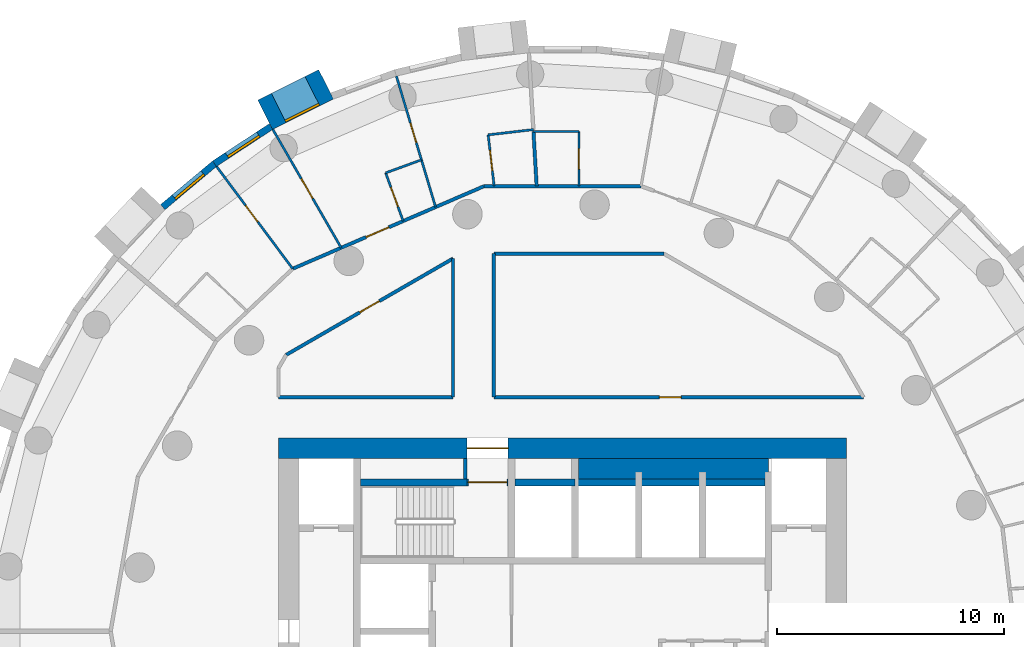
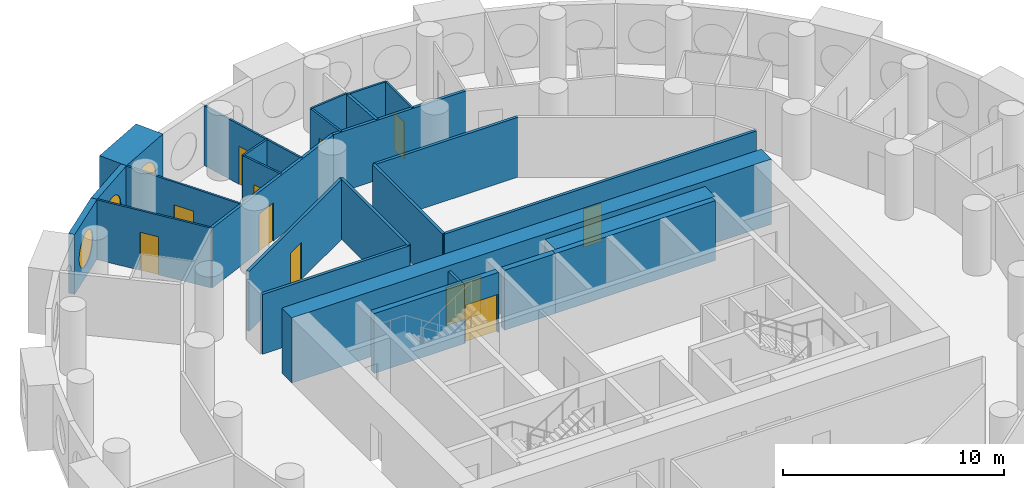
# One storey, part 6 of 10: 29 walls, 11 doors, 3 windows, 14 openings.
"""IFC4 building model written with IfcOpenShell, lengths in metres."""

from ifc_helpers import new_model, si_unit, direction, frame, frame_2d, origin, origin_2d, place, context, subcontext, project, spatial, rectangle, circle, extrude, material, layer, layer_set, type_object, element, fill, save


model = new_model("IFC4")

# Units and contexts
model_context = context("Model", 3, precision=1e-05, world=origin(), true_north=direction((0.0, 1.0)))
body_context = subcontext(model_context, "Body", "Model", "MODEL_VIEW")
ifc_project = project(units=[si_unit("LENGTHUNIT", "METRE"), si_unit("AREAUNIT", "SQUARE_METRE"), si_unit("VOLUMEUNIT", "CUBIC_METRE"), si_unit("PLANEANGLEUNIT", "RADIAN"), si_unit("MASSUNIT", "GRAM", prefix="KILO")], contexts=[model_context])

# Site, building, storey
site_placement = place(None, origin())
site = spatial("IfcSite", under=ifc_project, at=site_placement, CompositionType="ELEMENT")
building_placement = place(site_placement, origin())
building = spatial("IfcBuilding", under=site, at=building_placement, Name="Tracery Tower", CompositionType="ELEMENT")
storey_placement = place(building_placement, frame((0.0, 0.0, 129.60009765625)))
storey = spatial("IfcBuildingStorey", under=building, at=storey_placement, Name="L32", CompositionType="ELEMENT", Elevation=129.60009765625)

# Walls
ifc_material_1 = material(Name="Plasterboard on steel studs", Category="steel")
ifc_layer_1 = layer(ifc_material_1, 0.14990234375)
ifc_layer_set_1 = layer_set([ifc_layer_1], Name="Core room partition 150")
wall_type_1 = type_object("IfcWallType", Name="Core room partition 150", PredefinedType="SOLIDWALL", material=ifc_layer_set_1)
wall_1_placement = place(storey_placement, frame((-4.27490234375, 6.699951171875, 0.0), z_axis=(0.0, 0.0, 1.0), x_axis=(0.0, 1.0, 0.0)))
element("IfcWall", 1, at=wall_1_placement, inside=storey, type_object=wall_type_1, Name="L32 F N room", PredefinedType="SOLIDWALL", context=body_context, shape_type="SweptSolid", body=[
    extrude(rectangle(XDim=0.900146484375, YDim=0.14990234375, at=frame_2d((0.4501953125, 0.0))), origin(), (0.0, 0.0, 1.0), 3.2998046875),
])
ifc_material_2 = material(Name="Concrete C50/60", Category="concrete")
ifc_layer_2 = layer(ifc_material_2, 0.89990234375)
ifc_layer_set_2 = layer_set([ifc_layer_2], Name="Core strip wall 900 C50")
wall_type_2 = type_object("IfcWallType", Name="Core strip wall 900 C50", PredefinedType="SOLIDWALL", material=ifc_layer_set_2)
wall_2_placement = place(storey_placement, frame((0.699951171875, 7.14990234375, 0.0), z_axis=(0.0, 0.0, 1.0), x_axis=(1.0, 0.0, 0.0)))
element("IfcWall", 2, at=wall_2_placement, inside=storey, type_object=wall_type_2, Name="L32 F thick N E", PredefinedType="SOLIDWALL", context=body_context, shape_type="SweptSolid", body=[
    extrude(rectangle(XDim=8.35009765625, YDim=0.89990234375, at=frame_2d((4.175048828125, 0.0))), origin(), (0.0, 0.0, 1.0), 3.2998046875),
])

# Wall, opening, door
ifc_material_3 = material(Name="Concrete C50/60", Category="concrete")
ifc_layer_3 = layer(ifc_material_3, 0.89990234375)
ifc_layer_set_3 = layer_set([ifc_layer_3], Name="Core wall 900 C50")
wall_type_3 = type_object("IfcWallType", Name="Core wall 900 C50", PredefinedType="SOLIDWALL", material=ifc_layer_set_3)
wall_3_placement = place(storey_placement, frame((-12.5, 8.050048828125, 0.0), z_axis=(0.0, 0.0, 1.0), x_axis=(1.0, 0.0, 0.0)))
wall_3 = element("IfcWall", 3, at=wall_3_placement, inside=storey, type_object=wall_type_3, Name="L32 outer N", PredefinedType="SOLIDWALL", context=body_context, shape_type="SweptSolid", body=[
    extrude(rectangle(XDim=25.0, YDim=0.89990234375, at=frame_2d((12.5, 0.0))), origin(), (0.0, 0.0, 1.0), 3.599853515625),
])
opening_1_placement = place(wall_3_placement, frame((8.300048828125, 0.0, 0.0)))
opening_1 = element("IfcOpeningElement", 4, at=opening_1_placement, cuts=wall_3, Name="Opening KD13", PredefinedType="OPENING", context=body_context, shape_type="SweptSolid", body=[
    extrude(rectangle(XDim=1.800048828125, YDim=2.10009765625, at=frame_2d((0.89990234375, 1.050048828125))), frame((0.0, 0.449951171875, 0.0), z_axis=(0.0, -1.0, 0.0), x_axis=(1.0, 0.0, 0.0)), (0.0, 0.0, 1.0), 0.89990234375),
])
ifc_material_4 = material(Name="Steel fire door", Category="steel")
door_type_1 = type_object("IfcDoorType", Name="Core exit door 1800 double", OperationType="NOTDEFINED", PredefinedType="DOOR", material=ifc_material_4)
door_1_placement = place(opening_1_placement, origin())
door_1 = element("IfcDoor", 5, at=door_1_placement, inside=storey, type_object=door_type_1, Name="Core exit door", OperationType="DOUBLE_DOOR_SINGLE_SWING", OverallHeight=2.10009765625, OverallWidth=1.800048828125, PredefinedType="DOOR", context=body_context, shape_type="SweptSolid", body=[
    extrude(rectangle(XDim=1.800048828125, YDim=2.10009765625, at=frame_2d((0.89990234375, 1.050048828125))), frame((0.0, 0.02490234375, 0.0), z_axis=(0.0, -1.0, 0.0), x_axis=(1.0, 0.0, 0.0)), (0.0, 0.0, 1.0), 0.050048828125),
])
fill(opening_1, door_1)

# Wall, opening, window
ifc_material_5 = material(Name="Precast concrete C50/60", Category="concrete")
ifc_layer_4 = layer(ifc_material_5, 1.449951171875)
ifc_layer_set_4 = layer_set([ifc_layer_4], Name="Deep-set bay unit 3000 x 3600, slab edge 300")
wall_type_4 = type_object("IfcWallType", Name="Deep-set bay unit 3000 x 3600, slab edge 300", PredefinedType="ELEMENTEDWALL", material=ifc_layer_set_4)
wall_4_placement = place(storey_placement, frame((-10.40869140625, 24.067626953125, -0.300048828125), z_axis=(0.0, 0.0, 1.0), x_axis=(-0.893628249713, -0.448807922518, 0.0)))
wall_4 = element("IfcWall", 6, at=wall_4_placement, inside=storey, type_object=wall_type_4, Name="Deep-set bay unit 18 at L32", PredefinedType="ELEMENTEDWALL", context=body_context, shape_type="SweptSolid", body=[
    extrude(rectangle(XDim=3.0, YDim=1.449951171875, at=frame_2d((1.5, 0.0))), origin(), (0.0, 0.0, 1.0), 3.599853515625),
])
opening_2_placement = place(wall_4_placement, frame((1.5, 0.0, 1.85009765625)))
opening_2 = element("IfcOpeningElement", 7, at=opening_2_placement, cuts=wall_4, Name="Opening WN1", PredefinedType="OPENING", context=body_context, shape_type="SweptSolid", body=[
    extrude(circle(Radius=0.9000244140625, at=origin_2d()), frame((0.0, 0.73486328125, 0.0), z_axis=(0.0, -1.0, 0.0), x_axis=(1.0, 0.0, 0.0)), (0.0, 0.0, 1.0), 1.469970703125),
])
ifc_material_6 = material(Name="Aluminium frame with tinted double glazing", Category="aluminium")
window_type = type_object("IfcWindowType", Name="Round window 1800", PartitioningType="SINGLE_PANEL", PredefinedType="WINDOW", material=ifc_material_6)
window_1_placement = place(opening_2_placement, origin())
window_1 = element("IfcWindow", 8, at=window_1_placement, inside=storey, type_object=window_type, Name="Round window 18 at L32", OverallHeight=1.800048828125, OverallWidth=1.800048828125, PartitioningType="SINGLE_PANEL", PredefinedType="WINDOW", context=body_context, shape_type="SweptSolid", body=[
    extrude(circle(Radius=0.9000244140625, at=origin_2d()), frame((0.0, 0.69482421875, 0.0), z_axis=(0.0, -1.0, 0.0), x_axis=(1.0, 0.0, 0.0)), (0.0, 0.0, 1.0), 0.10009765625),
])
fill(opening_2, window_1)

ifc_material_7 = material(Name="Precast concrete C50/60", Category="concrete")
ifc_layer_5 = layer(ifc_material_7, 0.300048828125)
ifc_layer_set_5 = layer_set([ifc_layer_5], Name="Facade panel 3000 x 3300")
wall_type_5 = type_object("IfcWallType", Name="Facade panel 3000 x 3300", PredefinedType="SOLIDWALL", material=ifc_layer_set_5)
wall_5_placement = place(storey_placement, frame((-12.831787109375, 22.2060546875, 0.0), z_axis=(0.0, 0.0, 1.0), x_axis=(-0.835508361394, -0.54947773207, 0.0)))
wall_5 = element("IfcWall", 9, at=wall_5_placement, inside=storey, type_object=wall_type_5, Name="Facade panel 19 at L32", PredefinedType="SOLIDWALL", context=body_context, shape_type="SweptSolid", body=[
    extrude(rectangle(XDim=2.972900390625, YDim=0.300048828125, at=frame_2d((1.486328125, 0.0))), origin(), (0.0, 0.0, 1.0), 3.2998046875),
])
opening_3_placement = place(wall_5_placement, frame((1.486328125, 0.0, 1.5498046875)))
opening_3 = element("IfcOpeningElement", 10, at=opening_3_placement, cuts=wall_5, Name="Opening WN1", PredefinedType="OPENING", context=body_context, shape_type="SweptSolid", body=[
    extrude(circle(Radius=0.9000244140625, at=origin_2d()), frame((0.0, 0.159912109375, 0.0), z_axis=(0.0, -1.0, 0.0), x_axis=(1.0, 0.0, 0.0)), (0.0, 0.0, 1.0), 0.320068359375),
])
window_2_placement = place(opening_3_placement, origin())
window_2 = element("IfcWindow", 11, at=window_2_placement, inside=storey, type_object=window_type, Name="Round window 19 at L32", OverallHeight=1.800048828125, OverallWidth=1.800048828125, PartitioningType="SINGLE_PANEL", PredefinedType="WINDOW", context=body_context, shape_type="SweptSolid", body=[
    extrude(circle(Radius=0.9000244140625, at=origin_2d()), frame((0.0, 0.1201171875, 0.0), z_axis=(0.0, -1.0, 0.0), x_axis=(1.0, 0.0, 0.0)), (0.0, 0.0, 1.0), 0.10009765625),
])
fill(opening_3, window_2)

wall_6_placement = place(storey_placement, frame((-15.315673828125, 20.572509765625, 0.0), z_axis=(0.0, 0.0, 1.0), x_axis=(-0.766008913364, -0.642829950023, 0.0)))
wall_6 = element("IfcWall", 12, at=wall_6_placement, inside=storey, type_object=wall_type_5, Name="Facade panel 20 at L32", PredefinedType="SOLIDWALL", context=body_context, shape_type="SweptSolid", body=[
    extrude(rectangle(XDim=2.972900390625, YDim=0.300048828125, at=frame_2d((1.486328125, 0.0))), origin(), (0.0, 0.0, 1.0), 3.2998046875),
])
opening_4_placement = place(wall_6_placement, frame((1.486328125, 0.0, 1.5498046875)))
opening_4 = element("IfcOpeningElement", 13, at=opening_4_placement, cuts=wall_6, Name="Opening WN1", PredefinedType="OPENING", context=body_context, shape_type="SweptSolid", body=[
    extrude(circle(Radius=0.9000244140625, at=origin_2d()), frame((0.0, 0.159912109375, 0.0), z_axis=(0.0, -1.0, 0.0), x_axis=(1.0, 0.0, 0.0)), (0.0, 0.0, 1.0), 0.320068359375),
])
window_3_placement = place(opening_4_placement, origin())
window_3 = element("IfcWindow", 14, at=window_3_placement, inside=storey, type_object=window_type, Name="Round window 20 at L32", OverallHeight=1.800048828125, OverallWidth=1.800048828125, PartitioningType="SINGLE_PANEL", PredefinedType="WINDOW", context=body_context, shape_type="SweptSolid", body=[
    extrude(circle(Radius=0.9000244140625, at=origin_2d()), frame((0.0, 0.1201171875, 0.0), z_axis=(0.0, -1.0, 0.0), x_axis=(1.0, 0.0, 0.0)), (0.0, 0.0, 1.0), 0.10009765625),
])
fill(opening_4, window_3)

# Wall, opening, door
ifc_material_8 = material(Name="Plasterboard on steel studs", Category="steel")
ifc_layer_6 = layer(ifc_material_8, 0.10009765625)
ifc_layer_set_6 = layer_set([ifc_layer_6], Name="Partition 100 stud")
wall_type_6 = type_object("IfcWallType", Name="Partition 100 stud", PredefinedType="PARTITIONING", material=ifc_layer_set_6)
wall_7_placement = place(storey_placement, frame((-12.7490234375, 22.0810546875, 0.0), z_axis=(0.0, 0.0, 1.0), x_axis=(0.50002935287, -0.866008456234, 0.0)))
wall_7 = element("IfcWall", 15, at=wall_7_placement, inside=storey, type_object=wall_type_6, Name="Stud partition RB1-065", PredefinedType="PARTITIONING", context=body_context, shape_type="SweptSolid", body=[
    extrude(rectangle(XDim=6.013916015625, YDim=0.10009765625, at=frame_2d((3.0068359375, 0.0))), origin(), (0.0, 0.0, 1.0), 3.2998046875),
])
opening_5_placement = place(wall_7_placement, frame((2.5068359375, 0.0, 0.0)))
opening_5 = element("IfcOpeningElement", 16, at=opening_5_placement, cuts=wall_7, Name="Opening RB1-20", PredefinedType="OPENING", context=body_context, shape_type="SweptSolid", body=[
    extrude(rectangle(XDim=1.0, YDim=2.0400390625, at=frame_2d((0.5, 1.02001953125))), frame((0.0, 0.050048828125, 0.0), z_axis=(0.0, -1.0, 0.0), x_axis=(1.0, 0.0, 0.0)), (0.0, 0.0, 1.0), 0.10009765625),
])
ifc_material_9 = material(Name="Timber door leaf", Category="wood")
door_type_2 = type_object("IfcDoorType", Name="Door communal room 1000", OperationType="NOTDEFINED", PredefinedType="DOOR", material=ifc_material_9)
door_2_placement = place(opening_5_placement, origin())
door_2 = element("IfcDoor", 17, at=door_2_placement, inside=storey, type_object=door_type_2, Name="Communal room door RB1-20", OperationType="SINGLE_SWING_RIGHT", OverallHeight=2.0400390625, OverallWidth=1.0, PredefinedType="DOOR", context=body_context, shape_type="SweptSolid", body=[
    extrude(rectangle(XDim=1.0, YDim=2.0400390625, at=frame_2d((0.5, 1.02001953125))), frame((0.0, 0.02490234375, 0.0), z_axis=(0.0, -1.0, 0.0), x_axis=(1.0, 0.0, 0.0)), (0.0, 0.0, 1.0), 0.050048828125),
])
fill(opening_5, door_2)

wall_8_placement = place(storey_placement, frame((-7.31298828125, 24.426025390625, 0.0), z_axis=(0.0, 0.0, 1.0), x_axis=(0.286823657337, -0.957983397347, 0.0)))
wall_8 = element("IfcWall", 18, at=wall_8_placement, inside=storey, type_object=wall_type_6, Name="Stud partition RB1-068", PredefinedType="PARTITIONING", context=body_context, shape_type="SweptSolid", body=[
    extrude(rectangle(XDim=3.845703125, YDim=0.10009765625, at=frame_2d((1.9228515625, 0.0))), origin(), (0.0, 0.0, 1.0), 3.2998046875),
])
opening_6_placement = place(wall_8_placement, frame((2.14990234375, 0.0, 0.0)))
opening_6 = element("IfcOpeningElement", 19, at=opening_6_placement, cuts=wall_8, Name="Opening RB1-22", PredefinedType="OPENING", context=body_context, shape_type="SweptSolid", body=[
    extrude(rectangle(XDim=0.89990234375, YDim=2.10009765625, at=frame_2d((0.449951171875, 1.050048828125))), frame((0.0, 0.050048828125, 0.0), z_axis=(0.0, -1.0, 0.0), x_axis=(1.0, 0.0, 0.0)), (0.0, 0.0, 1.0), 0.10009765625),
])
ifc_material_10 = material(Name="Timber door leaf", Category="wood")
door_type_3 = type_object("IfcDoorType", Name="Door bedroom 900", OperationType="NOTDEFINED", PredefinedType="DOOR", material=ifc_material_10)
door_3_placement = place(opening_6_placement, origin())
door_3 = element("IfcDoor", 20, at=door_3_placement, inside=storey, type_object=door_type_3, Name="Bedroom door RB1-22", OperationType="SINGLE_SWING_RIGHT", OverallHeight=2.10009765625, OverallWidth=0.89990234375, PredefinedType="DOOR", context=body_context, shape_type="SweptSolid", body=[
    extrude(rectangle(XDim=0.89990234375, YDim=2.10009765625, at=frame_2d((0.449951171875, 1.050048828125))), frame((0.0, 0.02490234375, 0.0), z_axis=(0.0, -1.0, 0.0), x_axis=(1.0, 0.0, 0.0)), (0.0, 0.0, 1.0), 0.050048828125),
])
fill(opening_6, door_3)

wall_9_placement = place(storey_placement, frame((-15.22607421875, 20.451904296875, 0.0), z_axis=(0.0, 0.0, 1.0), x_axis=(0.597155355437, -0.802125602056, 0.0)))
wall_9 = element("IfcWall", 21, at=wall_9_placement, inside=storey, type_object=wall_type_6, Name="Stud partition RB1-069", PredefinedType="PARTITIONING", context=body_context, shape_type="SweptSolid", body=[
    extrude(rectangle(XDim=5.610107421875, YDim=0.10009765625, at=frame_2d((2.80517578125, 0.0))), origin(), (0.0, 0.0, 1.0), 3.2998046875),
])
opening_7_placement = place(wall_9_placement, frame((2.138916015625, 0.0, 0.0)))
opening_7 = element("IfcOpeningElement", 22, at=opening_7_placement, cuts=wall_9, Name="Opening RB1-24", PredefinedType="OPENING", context=body_context, shape_type="SweptSolid", body=[
    extrude(rectangle(XDim=0.89990234375, YDim=2.10009765625, at=frame_2d((0.449951171875, 1.050048828125))), frame((0.0, 0.050048828125, 0.0), z_axis=(0.0, -1.0, 0.0), x_axis=(1.0, 0.0, 0.0)), (0.0, 0.0, 1.0), 0.10009765625),
])
door_4_placement = place(opening_7_placement, origin())
door_4 = element("IfcDoor", 23, at=door_4_placement, inside=storey, type_object=door_type_3, Name="Bedroom door RB1-24", OperationType="SINGLE_SWING_RIGHT", OverallHeight=2.10009765625, OverallWidth=0.89990234375, PredefinedType="DOOR", context=body_context, shape_type="SweptSolid", body=[
    extrude(rectangle(XDim=0.89990234375, YDim=2.10009765625, at=frame_2d((0.449951171875, 1.050048828125))), frame((0.0, 0.02490234375, 0.0), z_axis=(0.0, -1.0, 0.0), x_axis=(1.0, 0.0, 0.0)), (0.0, 0.0, 1.0), 0.050048828125),
])
fill(opening_7, door_4)

ifc_material_11 = material(Name="Plasterboard on steel studs", Category="steel")
ifc_layer_7 = layer(ifc_material_11, 0.10009765625)
ifc_layer_set_7 = layer_set([ifc_layer_7], Name="Partition 100 wet wall")
wall_type_7 = type_object("IfcWallType", Name="Partition 100 wet wall", PredefinedType="PARTITIONING", material=ifc_layer_set_7)
wall_10_placement = place(storey_placement, frame((0.717041015625, 19.5859375, 0.0), z_axis=(0.0, 0.0, 1.0), x_axis=(0.0, 1.0, 0.0)))
wall_10 = element("IfcWall", 24, at=wall_10_placement, inside=storey, type_object=wall_type_7, Name="Wet wall RB1-061", PredefinedType="PARTITIONING", context=body_context, shape_type="SweptSolid", body=[
    extrude(rectangle(XDim=2.400146484375, YDim=0.10009765625, at=frame_2d((1.2001953125, 0.0))), origin(), (0.0, 0.0, 1.0), 3.2998046875),
])
opening_8_placement = place(wall_10_placement, frame((0.75, 0.0, 0.0)))
opening_8 = element("IfcOpeningElement", 25, at=opening_8_placement, cuts=wall_10, Name="Opening RB1-18", PredefinedType="OPENING", context=body_context, shape_type="SweptSolid", body=[
    extrude(rectangle(XDim=0.89990234375, YDim=2.0400390625, at=frame_2d((0.449951171875, 1.02001953125))), frame((0.0, 0.050048828125, 0.0), z_axis=(0.0, -1.0, 0.0), x_axis=(1.0, 0.0, 0.0)), (0.0, 0.0, 1.0), 0.10009765625),
])
ifc_material_12 = material(Name="Timber door leaf", Category="wood")
door_type_4 = type_object("IfcDoorType", Name="Door en-suite 900", OperationType="NOTDEFINED", PredefinedType="DOOR", material=ifc_material_12)
door_5_placement = place(opening_8_placement, origin())
door_5 = element("IfcDoor", 26, at=door_5_placement, inside=storey, type_object=door_type_4, Name="En-suite door RB1-18", OperationType="SINGLE_SWING_LEFT", OverallHeight=2.0400390625, OverallWidth=0.89990234375, PredefinedType="DOOR", context=body_context, shape_type="SweptSolid", body=[
    extrude(rectangle(XDim=0.89990234375, YDim=2.0400390625, at=frame_2d((0.449951171875, 1.02001953125))), frame((0.0, 0.02490234375, 0.0), z_axis=(0.0, -1.0, 0.0), x_axis=(1.0, 0.0, 0.0)), (0.0, 0.0, 1.0), 0.050048828125),
])
fill(opening_8, door_5)

# Walls
wall_11_placement = place(storey_placement, frame((-1.281005859375, 21.986083984375, 0.0), z_axis=(0.0, 0.0, 1.0), x_axis=(1.0, 0.0, 0.0)))
element("IfcWall", 27, at=wall_11_placement, inside=storey, type_object=wall_type_7, Name="Wet wall RB1-062", PredefinedType="PARTITIONING", context=body_context, shape_type="SweptSolid", body=[
    extrude(rectangle(XDim=1.998046875, YDim=0.10009765625, at=frame_2d((0.9990234375, 0.0))), origin(), (0.0, 0.0, 1.0), 3.2998046875),
])
wall_12_placement = place(storey_placement, frame((-7.784912109375, 20.1689453125, 0.0), z_axis=(0.0, 0.0, 1.0), x_axis=(0.939738119152, 0.341895111711, 0.0)))
element("IfcWall", 28, at=wall_12_placement, inside=storey, type_object=wall_type_7, Name="Wet wall RB1-066", PredefinedType="PARTITIONING", context=body_context, shape_type="SweptSolid", body=[
    extrude(rectangle(XDim=1.676025390625, YDim=0.10009765625, at=frame_2d((0.837890625, 0.0))), origin(), (0.0, 0.0, 1.0), 3.2998046875),
])

# Wall, opening, door
wall_13_placement = place(storey_placement, frame((-7.784912109375, 20.1689453125, 0.0), z_axis=(0.0, 0.0, 1.0), x_axis=(0.341934316543, -0.939723854742, 0.0)))
wall_13 = element("IfcWall", 29, at=wall_13_placement, inside=storey, type_object=wall_type_7, Name="Wet wall RB1-067", PredefinedType="PARTITIONING", context=body_context, shape_type="SweptSolid", body=[
    extrude(rectangle(XDim=2.2548828125, YDim=0.10009765625, at=frame_2d((1.12744140625, 0.0))), origin(), (0.0, 0.0, 1.0), 3.2998046875),
])
opening_9_placement = place(wall_13_placement, frame((0.677001953125, 0.0, 0.0)))
opening_9 = element("IfcOpeningElement", 30, at=opening_9_placement, cuts=wall_13, Name="Opening RB1-21", PredefinedType="OPENING", context=body_context, shape_type="SweptSolid", body=[
    extrude(rectangle(XDim=0.89990234375, YDim=2.0, at=frame_2d((0.449951171875, 1.0))), frame((0.0, 0.050048828125, 0.0), z_axis=(0.0, -1.0, 0.0), x_axis=(1.0, 0.0, 0.0)), (0.0, 0.0, 1.0), 0.10009765625),
])
ifc_material_13 = material(Name="Timber door leaf", Category="wood")
door_type_5 = type_object("IfcDoorType", Name="Door shower room 900", OperationType="NOTDEFINED", PredefinedType="DOOR", material=ifc_material_13)
door_6_placement = place(opening_9_placement, origin())
door_6 = element("IfcDoor", 31, at=door_6_placement, inside=storey, type_object=door_type_5, Name="Shower room door RB1-21", OperationType="SINGLE_SWING_LEFT", OverallHeight=2.0, OverallWidth=0.89990234375, PredefinedType="DOOR", context=body_context, shape_type="SweptSolid", body=[
    extrude(rectangle(XDim=0.89990234375, YDim=2.0, at=frame_2d((0.449951171875, 1.0))), frame((0.0, 0.02490234375, 0.0), z_axis=(0.0, -1.0, 0.0), x_axis=(1.0, 0.0, 0.0)), (0.0, 0.0, 1.0), 0.050048828125),
])
fill(opening_9, door_6)

# Walls
wall_14_placement = place(storey_placement, frame((-6.2099609375, 20.741943359375, 0.0), z_axis=(0.0, 0.0, 1.0), x_axis=(0.286924287417, -0.957953262581, 0.0)))
element("IfcWall", 32, at=wall_14_placement, inside=storey, type_object=wall_type_7, Name="Wet wall RB1-070", PredefinedType="PARTITIONING", context=body_context, shape_type="SweptSolid", body=[
    extrude(rectangle(XDim=2.16796875, YDim=0.10009765625, at=frame_2d((1.083984375, 0.0))), origin(), (0.0, 0.0, 1.0), 3.2998046875),
])
wall_15_placement = place(storey_placement, frame((-3.27490234375, 21.842041015625, 0.0), z_axis=(0.0, 0.0, 1.0), x_axis=(0.993269919916, 0.115822563388, 0.0)))
element("IfcWall", 33, at=wall_15_placement, inside=storey, type_object=wall_type_7, Name="Wet wall RB1-071", PredefinedType="PARTITIONING", context=body_context, shape_type="SweptSolid", body=[
    extrude(rectangle(XDim=2.00244140625, YDim=0.10009765625, at=frame_2d((1.001220703125, 0.0))), origin(), (0.0, 0.0, 1.0), 3.2998046875),
])

# Wall, opening, door
wall_16_placement = place(storey_placement, frame((-3.27490234375, 21.842041015625, 0.0), z_axis=(0.0, 0.0, 1.0), x_axis=(0.115762284594, -0.993276947012, 0.0)))
wall_16 = element("IfcWall", 34, at=wall_16_placement, inside=storey, type_object=wall_type_7, Name="Wet wall RB1-072", PredefinedType="PARTITIONING", context=body_context, shape_type="SweptSolid", body=[
    extrude(rectangle(XDim=2.271484375, YDim=0.10009765625, at=frame_2d((1.1357421875, 0.0))), origin(), (0.0, 0.0, 1.0), 3.2998046875),
])
opening_10_placement = place(wall_16_placement, frame((0.68603515625, 0.0, 0.0)))
opening_10 = element("IfcOpeningElement", 35, at=opening_10_placement, cuts=wall_16, Name="Opening RB1-23", PredefinedType="OPENING", context=body_context, shape_type="SweptSolid", body=[
    extrude(rectangle(XDim=0.89990234375, YDim=2.0400390625, at=frame_2d((0.449951171875, 1.02001953125))), frame((0.0, 0.050048828125, 0.0), z_axis=(0.0, -1.0, 0.0), x_axis=(1.0, 0.0, 0.0)), (0.0, 0.0, 1.0), 0.10009765625),
])
door_7_placement = place(opening_10_placement, origin())
door_7 = element("IfcDoor", 36, at=door_7_placement, inside=storey, type_object=door_type_4, Name="En-suite door RB1-23", OperationType="SINGLE_SWING_RIGHT", OverallHeight=2.0400390625, OverallWidth=0.89990234375, PredefinedType="DOOR", context=body_context, shape_type="SweptSolid", body=[
    extrude(rectangle(XDim=0.89990234375, YDim=2.0400390625, at=frame_2d((0.449951171875, 1.02001953125))), frame((0.0, 0.02490234375, 0.0), z_axis=(0.0, -1.0, 0.0), x_axis=(1.0, 0.0, 0.0)), (0.0, 0.0, 1.0), 0.050048828125),
])
fill(opening_10, door_7)

# Walls
ifc_material_14 = material(Name="Plasterboard on steel studs", Category="steel")
ifc_layer_8 = layer(ifc_material_14, 0.14990234375)
ifc_layer_set_8 = layer_set([ifc_layer_8], Name="Partition 150 acoustic unit wall")
wall_type_8 = type_object("IfcWallType", Name="Partition 150 acoustic unit wall", PredefinedType="PARTITIONING", material=ifc_layer_set_8)
wall_17_placement = place(storey_placement, frame((-1.281005859375, 21.986083984375, 0.0), z_axis=(0.0, 0.0, 1.0), x_axis=(0.058186267039, -0.998305743912, 0.0)))
element("IfcWall", 37, at=wall_17_placement, inside=storey, type_object=wall_type_8, Name="Unit wall RB1-064", PredefinedType="PARTITIONING", context=body_context, shape_type="SweptSolid", body=[
    extrude(rectangle(XDim=2.404296875, YDim=0.14990234375, at=frame_2d((1.2021484375, 0.0))), origin(), (0.0, 0.0, 1.0), 3.2998046875),
])
ifc_material_15 = material(Name="Plasterboard on steel studs", Category="steel")
ifc_layer_9 = layer(ifc_material_15, 0.14990234375)
ifc_layer_set_9 = layer_set([ifc_layer_9], Name="Partition 150 corridor wall")
wall_type_9 = type_object("IfcWallType", Name="Partition 150 corridor wall", PredefinedType="PARTITIONING", material=ifc_layer_set_9)
wall_18_placement = place(storey_placement, frame((-12.50390625, 10.300048828125, 0.0), z_axis=(0.0, 0.0, 1.0), x_axis=(1.0, 0.0, 0.0)))
element("IfcWall", 38, at=wall_18_placement, inside=storey, type_object=wall_type_9, Name="Corridor wall RB1-001", PredefinedType="PARTITIONING", context=body_context, shape_type="SweptSolid", body=[
    extrude(rectangle(XDim=7.68701171875, YDim=0.14990234375, at=frame_2d((3.843505859375, 0.0))), origin(), (0.0, 0.0, 1.0), 3.2998046875),
])

# Wall, opening, door
wall_19_placement = place(storey_placement, frame((-3.02490234375, 10.300048828125, 0.0), z_axis=(0.0, 0.0, 1.0), x_axis=(1.0, 0.0, 0.0)))
wall_19 = element("IfcWall", 39, at=wall_19_placement, inside=storey, type_object=wall_type_9, Name="Corridor wall RB1-002", PredefinedType="PARTITIONING", context=body_context, shape_type="SweptSolid", body=[
    extrude(rectangle(XDim=16.261962890625, YDim=0.14990234375, at=frame_2d((8.130859375, 0.0))), origin(), (0.0, 0.0, 1.0), 3.2998046875),
])
opening_11_placement = place(wall_19_placement, frame((7.2880859375, 0.0, 0.0)))
opening_11 = element("IfcOpeningElement", 40, at=opening_11_placement, cuts=wall_19, Name="Opening RB1-02", PredefinedType="OPENING", context=body_context, shape_type="SweptSolid", body=[
    extrude(rectangle(XDim=0.949951171875, YDim=2.10009765625, at=frame_2d((0.47509765625, 1.050048828125))), frame((0.0, 0.074951171875, 0.0), z_axis=(0.0, -1.0, 0.0), x_axis=(1.0, 0.0, 0.0)), (0.0, 0.0, 1.0), 0.14990234375),
])
ifc_material_16 = material(Name="Timber door leaf", Category="wood")
door_type_6 = type_object("IfcDoorType", Name="Door store 950", OperationType="NOTDEFINED", PredefinedType="DOOR", material=ifc_material_16)
door_8_placement = place(opening_11_placement, origin())
door_8 = element("IfcDoor", 41, at=door_8_placement, inside=storey, type_object=door_type_6, Name="Store door RB1-02", OperationType="SINGLE_SWING_RIGHT", OverallHeight=2.10009765625, OverallWidth=0.949951171875, PredefinedType="DOOR", context=body_context, shape_type="SweptSolid", body=[
    extrude(rectangle(XDim=0.949951171875, YDim=2.10009765625, at=frame_2d((0.47509765625, 1.050048828125))), frame((0.0, 0.02490234375, 0.0), z_axis=(0.0, -1.0, 0.0), x_axis=(1.0, 0.0, 0.0)), (0.0, 0.0, 1.0), 0.050048828125),
])
fill(opening_11, door_8)

# Wall
wall_20_placement = place(storey_placement, frame((-4.821044921875, 10.300048828125, 0.0), z_axis=(0.0, 0.0, 1.0), x_axis=(0.0, 1.0, 0.0)))
element("IfcWall", 42, at=wall_20_placement, inside=storey, type_object=wall_type_9, Name="Corridor wall RB1-013", PredefinedType="PARTITIONING", context=body_context, shape_type="SweptSolid", body=[
    extrude(rectangle(XDim=6.100830078125, YDim=0.14990234375, at=frame_2d((3.05029296875, 0.0))), origin(), (0.0, 0.0, 1.0), 3.2998046875),
])

# Wall, opening, door
wall_21_placement = place(storey_placement, frame((-12.162109375, 12.162109375, 0.0), z_axis=(0.0, 0.0, 1.0), x_axis=(0.866004766557, 0.500035743023, 0.0)))
wall_21 = element("IfcWall", 43, at=wall_21_placement, inside=storey, type_object=wall_type_9, Name="Corridor wall RB1-014", PredefinedType="PARTITIONING", context=body_context, shape_type="SweptSolid", body=[
    extrude(rectangle(XDim=8.47705078125, YDim=0.14990234375, at=frame_2d((4.238525390625, 0.0))), origin(), (0.0, 0.0, 1.0), 3.2998046875),
])
opening_12_placement = place(wall_21_placement, frame((3.739013671875, 0.0, 0.0)))
opening_12 = element("IfcOpeningElement", 44, at=opening_12_placement, cuts=wall_21, Name="Opening RB1-01", PredefinedType="OPENING", context=body_context, shape_type="SweptSolid", body=[
    extrude(rectangle(XDim=1.0, YDim=2.0400390625, at=frame_2d((0.5, 1.02001953125))), frame((0.0, 0.074951171875, 0.0), z_axis=(0.0, -1.0, 0.0), x_axis=(1.0, 0.0, 0.0)), (0.0, 0.0, 1.0), 0.14990234375),
])
door_9_placement = place(opening_12_placement, origin())
door_9 = element("IfcDoor", 45, at=door_9_placement, inside=storey, type_object=door_type_2, Name="Communal room door RB1-01", OperationType="SINGLE_SWING_LEFT", OverallHeight=2.0400390625, OverallWidth=1.0, PredefinedType="DOOR", context=body_context, shape_type="SweptSolid", body=[
    extrude(rectangle(XDim=1.0, YDim=2.0400390625, at=frame_2d((0.5, 1.02001953125))), frame((0.0, 0.02490234375, 0.0), z_axis=(0.0, -1.0, 0.0), x_axis=(1.0, 0.0, 0.0)), (0.0, 0.0, 1.0), 0.050048828125),
])
fill(opening_12, door_9)

# Walls
wall_22_placement = place(storey_placement, frame((-3.02099609375, 16.614013671875, 0.0), z_axis=(0.0, 0.0, 1.0), x_axis=(1.0, 0.0, 0.0)))
element("IfcWall", 46, at=wall_22_placement, inside=storey, type_object=wall_type_9, Name="Corridor wall RB1-016", PredefinedType="PARTITIONING", context=body_context, shape_type="SweptSolid", body=[
    extrude(rectangle(XDim=7.472900390625, YDim=0.14990234375, at=frame_2d((3.736328125, 0.0))), origin(), (0.0, 0.0, 1.0), 3.2998046875),
])
wall_23_placement = place(storey_placement, frame((-3.02099609375, 10.300048828125, 0.0), z_axis=(0.0, 0.0, 1.0), x_axis=(0.0, 1.0, 0.0)))
element("IfcWall", 47, at=wall_23_placement, inside=storey, type_object=wall_type_9, Name="Corridor wall RB1-017", PredefinedType="PARTITIONING", context=body_context, shape_type="SweptSolid", body=[
    extrude(rectangle(XDim=6.31396484375, YDim=0.14990234375, at=frame_2d((3.156982421875, 0.0))), origin(), (0.0, 0.0, 1.0), 3.2998046875),
])
wall_24_placement = place(storey_placement, frame((-3.452880859375, 19.5859375, 0.0), z_axis=(0.0, 0.0, 1.0), x_axis=(1.0, 0.0, 0.0)))
element("IfcWall", 48, at=wall_24_placement, inside=storey, type_object=wall_type_9, Name="Corridor wall RB1-020", PredefinedType="PARTITIONING", context=body_context, shape_type="SweptSolid", body=[
    extrude(rectangle(XDim=6.90576171875, YDim=0.14990234375, at=frame_2d((3.452880859375, 0.0))), origin(), (0.0, 0.0, 1.0), 3.2998046875),
])

# Wall, opening, door
wall_25_placement = place(storey_placement, frame((-11.8759765625, 15.95166015625, 0.0), z_axis=(0.0, 0.0, 1.0), x_axis=(0.918189765505, 0.396140826629, 0.0)))
wall_25 = element("IfcWall", 49, at=wall_25_placement, inside=storey, type_object=wall_type_9, Name="Corridor wall RB1-021", PredefinedType="PARTITIONING", context=body_context, shape_type="SweptSolid", body=[
    extrude(rectangle(XDim=9.173583984375, YDim=0.14990234375, at=frame_2d((4.5869140625, 0.0))), origin(), (0.0, 0.0, 1.0), 3.2998046875),
])
opening_13_placement = place(wall_25_placement, frame((3.509765625, 0.0, 0.0)))
opening_13 = element("IfcOpeningElement", 50, at=opening_13_placement, cuts=wall_25, Name="Opening RB1-19", PredefinedType="OPENING", context=body_context, shape_type="SweptSolid", body=[
    extrude(rectangle(XDim=1.10009765625, YDim=2.10009765625, at=frame_2d((0.550048828125, 1.050048828125))), frame((0.0, 0.074951171875, 0.0), z_axis=(0.0, -1.0, 0.0), x_axis=(1.0, 0.0, 0.0)), (0.0, 0.0, 1.0), 0.14990234375),
])
ifc_material_17 = material(Name="Timber door leaf", Category="wood")
door_type_7 = type_object("IfcDoorType", Name="Door cluster entrance 1100", OperationType="NOTDEFINED", PredefinedType="DOOR", material=ifc_material_17)
door_10_placement = place(opening_13_placement, origin())
door_10 = element("IfcDoor", 51, at=door_10_placement, inside=storey, type_object=door_type_7, Name="Cluster entrance door RB1-19", OperationType="SINGLE_SWING_RIGHT", OverallHeight=2.10009765625, OverallWidth=1.10009765625, PredefinedType="DOOR", context=body_context, shape_type="SweptSolid", body=[
    extrude(rectangle(XDim=1.10009765625, YDim=2.10009765625, at=frame_2d((0.550048828125, 1.050048828125))), frame((0.0, 0.02490234375, 0.0), z_axis=(0.0, -1.0, 0.0), x_axis=(1.0, 0.0, 0.0)), (0.0, 0.0, 1.0), 0.050048828125),
])
fill(opening_13, door_10)

# Wall
ifc_material_18 = material(Name="Concrete C50/60", Category="concrete")
ifc_layer_10 = layer(ifc_material_18, 0.300048828125)
ifc_layer_set_10 = layer_set([ifc_layer_10], Name="Stair wall 300 C50")
wall_type_10 = type_object("IfcWallType", Name="Stair wall 300 C50", PredefinedType="SOLIDWALL", material=ifc_layer_set_10)
wall_26_placement = place(storey_placement, frame((-8.89990234375, 6.550048828125, 0.0), z_axis=(0.0, 0.0, 1.0), x_axis=(1.0, 0.0, 0.0)))
element("IfcWall", 52, at=wall_26_placement, inside=storey, type_object=wall_type_10, Name="L32 F N W", PredefinedType="SOLIDWALL", context=body_context, shape_type="SweptSolid", body=[
    extrude(rectangle(XDim=4.699951171875, YDim=0.300048828125, at=frame_2d((2.35009765625, 0.0))), origin(), (0.0, 0.0, 1.0), 3.2998046875),
])

# Wall, opening, door
wall_27_placement = place(storey_placement, frame((-4.199951171875, 6.550048828125, 0.0), z_axis=(0.0, 0.0, 1.0), x_axis=(1.0, 0.0, 0.0)))
wall_27 = element("IfcWall", 53, at=wall_27_placement, inside=storey, type_object=wall_type_10, Name="L32 F stair N", PredefinedType="SOLIDWALL", context=body_context, shape_type="SweptSolid", body=[
    extrude(rectangle(XDim=1.800048828125, YDim=0.300048828125, at=frame_2d((0.89990234375, 0.0))), origin(), (0.0, 0.0, 1.0), 3.2998046875),
])
opening_14_placement = place(wall_27_placement, frame((0.050048828125, 0.0, 0.0)))
opening_14 = element("IfcOpeningElement", 54, at=opening_14_placement, cuts=wall_27, Name="Opening KD3", PredefinedType="OPENING", context=body_context, shape_type="SweptSolid", body=[
    extrude(rectangle(XDim=1.699951171875, YDim=2.10009765625, at=frame_2d((0.85009765625, 1.050048828125))), frame((0.0, 0.14990234375, 0.0), z_axis=(0.0, -1.0, 0.0), x_axis=(1.0, 0.0, 0.0)), (0.0, 0.0, 1.0), 0.300048828125),
])
ifc_material_19 = material(Name="Steel fire door", Category="steel")
door_type_8 = type_object("IfcDoorType", Name="Core stair door 1700 double", OperationType="NOTDEFINED", PredefinedType="DOOR", material=ifc_material_19)
door_11_placement = place(opening_14_placement, origin())
door_11 = element("IfcDoor", 55, at=door_11_placement, inside=storey, type_object=door_type_8, Name="Stair door vest", OperationType="DOUBLE_DOOR_SINGLE_SWING", OverallHeight=2.10009765625, OverallWidth=1.699951171875, PredefinedType="DOOR", context=body_context, shape_type="SweptSolid", body=[
    extrude(rectangle(XDim=1.699951171875, YDim=2.10009765625, at=frame_2d((0.85009765625, 1.050048828125))), frame((0.0, 0.02490234375, 0.0), z_axis=(0.0, -1.0, 0.0), x_axis=(1.0, 0.0, 0.0)), (0.0, 0.0, 1.0), 0.050048828125),
])
fill(opening_14, door_11)

# Walls
wall_28_placement = place(storey_placement, frame((-2.10009765625, 6.550048828125, 0.0), z_axis=(0.0, 0.0, 1.0), x_axis=(1.0, 0.0, 0.0)))
element("IfcWall", 56, at=wall_28_placement, inside=storey, type_object=wall_type_10, Name="L32 F N E1", PredefinedType="SOLIDWALL", context=body_context, shape_type="SweptSolid", body=[
    extrude(rectangle(XDim=2.650146484375, YDim=0.300048828125, at=frame_2d((1.3251953125, 0.0))), origin(), (0.0, 0.0, 1.0), 3.2998046875),
])
wall_29_placement = place(storey_placement, frame((0.550048828125, 6.550048828125, 0.0), z_axis=(0.0, 0.0, 1.0), x_axis=(1.0, 0.0, 0.0)))
element("IfcWall", 57, at=wall_29_placement, inside=storey, type_object=wall_type_10, Name="L32 F stair strip N E", PredefinedType="SOLIDWALL", context=body_context, shape_type="SweptSolid", body=[
    extrude(rectangle(XDim=8.349853515625, YDim=0.300048828125, at=frame_2d((4.1748046875, 0.0))), origin(), (0.0, 0.0, 1.0), 3.2998046875),
])

save(model, "model.ifc")
